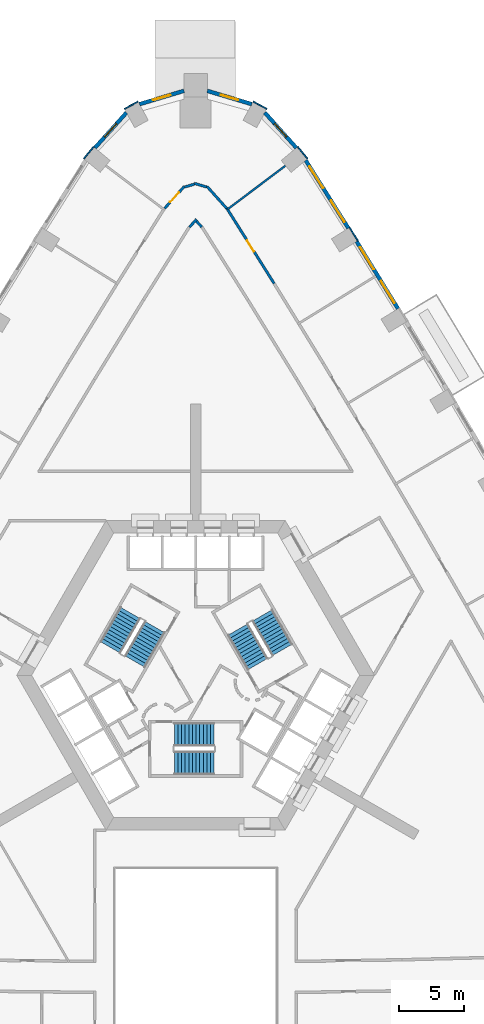
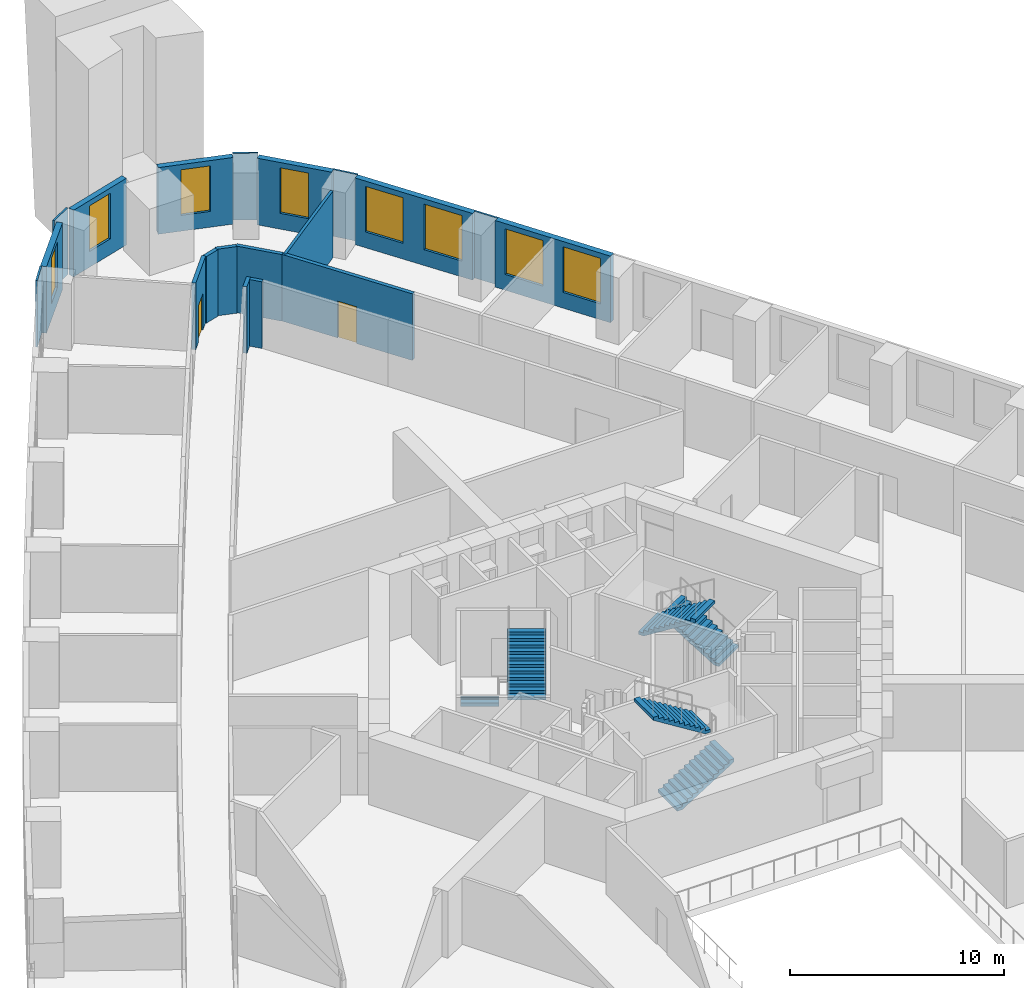
# One storey, part 12 of 16: 19 walls, 8 windows, 6 stair flights, 2 doors, 10 openings, 3 elements without a shape of their own.
"""IFC4 building model written with IfcOpenShell, lengths in metres."""

from ifc_helpers import new_model, si_unit, direction, frame, frame_2d, origin, place, context, subcontext, project, spatial, polyline, rectangle, outline, extrude, material, layer, layer_set, type_object, element, fill, aggregate, save


model = new_model("IFC4")

# Units and contexts
model_context = context("Model", 3, precision=1e-05, world=origin(), true_north=direction((0.0, 1.0)))
body_context = subcontext(model_context, "Body", "Model", "MODEL_VIEW")
ifc_project = project(units=[si_unit("LENGTHUNIT", "METRE"), si_unit("AREAUNIT", "SQUARE_METRE"), si_unit("VOLUMEUNIT", "CUBIC_METRE"), si_unit("PLANEANGLEUNIT", "RADIAN"), si_unit("MASSUNIT", "GRAM", prefix="KILO")], contexts=[model_context])

# Site, building, storey
site_placement = place(None, origin())
site = spatial("IfcSite", under=ifc_project, at=site_placement, CompositionType="ELEMENT")
building_placement = place(site_placement, origin())
building = spatial("IfcBuilding", under=site, at=building_placement, Name="Entoto Arch Interchange Tower", CompositionType="ELEMENT")
storey_placement = place(building_placement, frame((0.0, 0.0, 60.199951171875)))
storey = spatial("IfcBuildingStorey", under=building, at=storey_placement, Name="L12", CompositionType="ELEMENT", Elevation=60.199951171875)

# Walls
ifc_material_1 = material(Name="Gypsum board partition on steel studs", Category="steel")
ifc_layer_1 = layer(ifc_material_1, 0.14990234375)
ifc_layer_set_1 = layer_set([ifc_layer_1], Name="Gypsum board partition on steel studs")
wall_type_1 = type_object("IfcWallType", Name="PARTITION 150", PredefinedType="PARTITIONING", material=ifc_layer_set_1)
wall_1_placement = place(storey_placement, frame((2.466064453125, 38.580078125, 0.0), z_axis=(0.0, 0.0, 1.0), x_axis=(0.798796148738, 0.601601789193, 0.0)))
element("IfcWall", 1, at=wall_1_placement, inside=storey, type_object=wall_type_1, Name="wall:L12:p141", PredefinedType="PARTITIONING", context=body_context, shape_type="SweptSolid", body=[
    extrude(rectangle(XDim=5.604736328125, YDim=0.14990234375, at=frame_2d((2.80224609375, 0.0))), origin(), (0.0, 0.0, 1.0), 3.800048828125),
])
ifc_layer_2 = layer(ifc_material_1, 0.199951171875)
ifc_layer_set_2 = layer_set([ifc_layer_2], Name="Gypsum board partition on steel studs")
wall_type_2 = type_object("IfcWallType", Name="PARTITION 200", PredefinedType="PARTITIONING", material=ifc_layer_set_2)
wall_2_placement = place(storey_placement, frame((0.47607421875, 37.2060546875, 0.0), z_axis=(0.0, 0.0, 1.0), x_axis=(-0.667027496744, 0.745033098988, 0.0)))
element("IfcWall", 2, at=wall_2_placement, inside=storey, type_object=wall_type_2, Name="wall:L12:p012", PredefinedType="PARTITIONING", context=body_context, shape_type="SweptSolid", body=[
    extrude(rectangle(XDim=0.613525390625, YDim=0.199951171875, at=frame_2d((0.306640625, 0.0))), origin(), (0.0, 0.0, 1.0), 3.800048828125),
])
wall_3_placement = place(storey_placement, frame((0.06689453125, 37.81201171875, 0.0), z_axis=(0.0, 0.0, 1.0), x_axis=(-0.667338487106, -0.744754552606, 0.0)))
element("IfcWall", 3, at=wall_3_placement, inside=storey, type_object=wall_type_2, Name="wall:L12:p013", PredefinedType="PARTITIONING", context=body_context, shape_type="SweptSolid", body=[
    extrude(rectangle(XDim=0.813720703125, YDim=0.199951171875, at=frame_2d((0.40673828125, 0.0))), origin(), (0.0, 0.0, 1.0), 3.800048828125),
])

# Wall, opening, door
wall_4_placement = place(storey_placement, frame((2.4130859375, 38.6650390625, 0.0), z_axis=(0.0, 0.0, 1.0), x_axis=(0.532328273879, -0.846538013812, 0.0)))
wall_4 = element("IfcWall", 4, at=wall_4_placement, inside=storey, type_object=wall_type_2, Name="wall:L12:p060", PredefinedType="PARTITIONING", context=body_context, shape_type="SweptSolid", body=[
    extrude(rectangle(XDim=6.890380859375, YDim=0.199951171875, at=frame_2d((3.4453125, 0.0))), origin(), (0.0, 0.0, 1.0), 3.800048828125),
])
opening_1_placement = place(wall_4_placement, frame((2.945068359375, 0.0, 0.0)))
opening_1 = element("IfcOpeningElement", 5, at=opening_1_placement, cuts=wall_4, Name="Opening L12-D08", PredefinedType="OPENING", context=body_context, shape_type="SweptSolid", body=[
    extrude(rectangle(XDim=1.0, YDim=2.10009765625, at=frame_2d((0.5, 1.050048828125))), frame((0.0, 0.10986328125, 0.0), z_axis=(0.0, -1.0, 0.0), x_axis=(1.0, 0.0, 0.0)), (0.0, 0.0, 1.0), 0.219970703125),
])
ifc_material_2 = material(Name="Timber door leaf in Steel S235 frame", Category="steel")
door_type = type_object("IfcDoorType", Name="DOOR DS-10 1000x2100", OperationType="SINGLE_SWING_LEFT", PredefinedType="DOOR", material=ifc_material_2)
door_1_placement = place(opening_1_placement, origin())
door_1 = element("IfcDoor", 6, at=door_1_placement, inside=storey, type_object=door_type, Name="door:L12:08", OperationType="SINGLE_SWING_LEFT", OverallHeight=2.10009765625, OverallWidth=1.0, PredefinedType="DOOR", context=body_context, shape_type="SweptSolid", body=[
    extrude(rectangle(XDim=1.0, YDim=2.10009765625, at=frame_2d((0.5, 1.050048828125))), frame((0.0, 0.02490234375, 0.0), z_axis=(0.0, -1.0, 0.0), x_axis=(1.0, 0.0, 0.0)), (0.0, 0.0, 1.0), 0.050048828125),
])
fill(opening_1, door_1)

wall_5_placement = place(storey_placement, frame((-2.39990234375, 38.655029296875, 0.0), z_axis=(0.0, 0.0, 1.0), x_axis=(0.666791730919, 0.745244112743, 0.0)))
wall_5 = element("IfcWall", 7, at=wall_5_placement, inside=storey, type_object=wall_type_2, Name="wall:L12:p062", PredefinedType="PARTITIONING", context=body_context, shape_type="SweptSolid", body=[
    extrude(rectangle(XDim=2.281005859375, YDim=0.199951171875, at=frame_2d((1.140625, 0.0))), origin(), (0.0, 0.0, 1.0), 3.800048828125),
])
opening_2_placement = place(wall_5_placement, frame((0.64111328125, 0.0, 0.0)))
opening_2 = element("IfcOpeningElement", 8, at=opening_2_placement, cuts=wall_5, Name="Opening L12-D09", PredefinedType="OPENING", context=body_context, shape_type="SweptSolid", body=[
    extrude(rectangle(XDim=1.0, YDim=2.10009765625, at=frame_2d((0.5, 1.050048828125))), frame((0.0, 0.10986328125, 0.0), z_axis=(0.0, -1.0, 0.0), x_axis=(1.0, 0.0, 0.0)), (0.0, 0.0, 1.0), 0.219970703125),
])
door_2_placement = place(opening_2_placement, origin())
door_2 = element("IfcDoor", 9, at=door_2_placement, inside=storey, type_object=door_type, Name="door:L12:09", OperationType="SINGLE_SWING_LEFT", OverallHeight=2.10009765625, OverallWidth=1.0, PredefinedType="DOOR", context=body_context, shape_type="SweptSolid", body=[
    extrude(rectangle(XDim=1.0, YDim=2.10009765625, at=frame_2d((0.5, 1.050048828125))), frame((0.0, 0.02490234375, 0.0), z_axis=(0.0, -1.0, 0.0), x_axis=(1.0, 0.0, 0.0)), (0.0, 0.0, 1.0), 0.050048828125),
])
fill(opening_2, door_2)

# Walls
wall_6_placement = place(storey_placement, frame((-0.84912109375, 40.30908203125, 0.0), z_axis=(0.0, 0.0, 1.0), x_axis=(0.958210118601, 0.286065322279, 0.0)))
element("IfcWall", 10, at=wall_6_placement, inside=storey, type_object=wall_type_2, Name="wall:L12:p063", PredefinedType="PARTITIONING", context=body_context, shape_type="SweptSolid", body=[
    extrude(rectangle(XDim=0.7861328125, YDim=0.199951171875, at=frame_2d((0.39306640625, 0.0))), origin(), (0.0, 0.0, 1.0), 3.800048828125),
])
wall_7_placement = place(storey_placement, frame((-0.095947265625, 40.591064453125, 0.0), z_axis=(0.0, 0.0, 1.0), x_axis=(0.958254449469, -0.285916788721, 0.0)))
element("IfcWall", 11, at=wall_7_placement, inside=storey, type_object=wall_type_2, Name="wall:L12:p064", PredefinedType="PARTITIONING", context=body_context, shape_type="SweptSolid", body=[
    extrude(rectangle(XDim=0.986328125, YDim=0.199951171875, at=frame_2d((0.4931640625, 0.0))), origin(), (0.0, 0.0, 1.0), 3.800048828125),
])
wall_8_placement = place(storey_placement, frame((0.87890625, 40.35498046875, 0.0), z_axis=(0.0, 0.0, 1.0), x_axis=(0.666791730919, -0.745244112743, 0.0)))
element("IfcWall", 12, at=wall_8_placement, inside=storey, type_object=wall_type_2, Name="wall:L12:p065", PredefinedType="PARTITIONING", context=body_context, shape_type="SweptSolid", body=[
    extrude(rectangle(XDim=2.281005859375, YDim=0.199951171875, at=frame_2d((1.140625, 0.0))), origin(), (0.0, 0.0, 1.0), 3.800048828125),
])

# Wall, openings, windows
ifc_material_3 = material(Name="Welded tuff (ignimbrite) cladding, warm buff", Category="masonry")
ifc_layer_3 = layer(ifc_material_3, 0.300048828125)
ifc_layer_set_3 = layer_set([ifc_layer_3], Name="Welded tuff (ignimbrite) cladding, warm buff")
wall_type_3 = type_object("IfcWallType", Name="STONE INFILL WALL 300", PredefinedType="STANDARD", material=ifc_layer_set_3)
wall_9_placement = place(storey_placement, frame((15.677001953125, 30.882080078125, 0.0), z_axis=(0.0, 0.0, 1.0), x_axis=(-0.524239751329, 0.851570715282, 0.0)))
wall_9 = element("IfcWall", 13, at=wall_9_placement, inside=storey, type_object=wall_type_3, Name="Facade wall NE-08 L12", PredefinedType="STANDARD", context=body_context, shape_type="SweptSolid", body=[
    extrude(rectangle(XDim=6.125, YDim=0.300048828125, at=frame_2d((3.0625, 0.0))), origin(), (0.0, 0.0, 1.0), 3.800048828125),
])
opening_3_placement = place(wall_9_placement, frame((0.531005859375, 0.0, 0.89990234375)))
opening_3 = element("IfcOpeningElement", 14, at=opening_3_placement, cuts=wall_9, Name="Opening WO-C", PredefinedType="OPENING", context=body_context, shape_type="SweptSolid", body=[
    extrude(rectangle(XDim=2.0, YDim=2.60009765625, at=frame_2d((1.0, 1.300048828125))), frame((0.0, 0.16015625, 0.0), z_axis=(0.0, -1.0, 0.0), x_axis=(1.0, 0.0, 0.0)), (0.0, 0.0, 1.0), 0.320068359375),
])
opening_4_placement = place(wall_9_placement, frame((3.593994140625, 0.0, 0.89990234375)))
opening_4 = element("IfcOpeningElement", 15, at=opening_4_placement, cuts=wall_9, Name="Opening WO-C", PredefinedType="OPENING", context=body_context, shape_type="SweptSolid", body=[
    extrude(rectangle(XDim=2.0, YDim=2.60009765625, at=frame_2d((1.0, 1.300048828125))), frame((0.0, 0.16015625, 0.0), z_axis=(0.0, -1.0, 0.0), x_axis=(1.0, 0.0, 0.0)), (0.0, 0.0, 1.0), 0.320068359375),
])
ifc_material_4 = material(Name="Clear glass, low-e double glazed", Category="glass")
window_type_1 = type_object("IfcWindowType", Name="WINDOW WO-C 2000x2600", PartitioningType="DOUBLE_PANEL_VERTICAL", PredefinedType="WINDOW", material=ifc_material_4)
window_1_placement = place(opening_3_placement, origin())
window_1 = element("IfcWindow", 16, at=window_1_placement, inside=storey, type_object=window_type_1, Name="Window WO-C NE-08 L12", OverallHeight=2.60009765625, OverallWidth=2.0, PartitioningType="SINGLE_PANEL", PredefinedType="WINDOW", context=body_context, shape_type="SweptSolid", body=[
    extrude(rectangle(XDim=2.0, YDim=2.60009765625, at=frame_2d((1.0, 1.300048828125))), frame((0.0, 0.030029296875, 0.0), z_axis=(0.0, -1.0, 0.0), x_axis=(1.0, 0.0, 0.0)), (0.0, 0.0, 1.0), 0.06005859375),
])
fill(opening_3, window_1)
window_2_placement = place(opening_4_placement, origin())
window_2 = element("IfcWindow", 17, at=window_2_placement, inside=storey, type_object=window_type_1, Name="Window WO-C NE-08 L12", OverallHeight=2.60009765625, OverallWidth=2.0, PartitioningType="SINGLE_PANEL", PredefinedType="WINDOW", context=body_context, shape_type="SweptSolid", body=[
    extrude(rectangle(XDim=2.0, YDim=2.60009765625, at=frame_2d((1.0, 1.300048828125))), frame((0.0, 0.030029296875, 0.0), z_axis=(0.0, -1.0, 0.0), x_axis=(1.0, 0.0, 0.0)), (0.0, 0.0, 1.0), 0.06005859375),
])
fill(opening_4, window_2)

wall_10_placement = place(storey_placement, frame((11.8330078125, 37.115966796875, 0.0), z_axis=(0.0, 0.0, 1.0), x_axis=(-0.532322705893, 0.846541515102, 0.0)))
wall_10 = element("IfcWall", 18, at=wall_10_placement, inside=storey, type_object=wall_type_3, Name="Facade wall NE-09 L12", PredefinedType="STANDARD", context=body_context, shape_type="SweptSolid", body=[
    extrude(rectangle(XDim=6.21826171875, YDim=0.300048828125, at=frame_2d((3.109130859375, 0.0))), origin(), (0.0, 0.0, 1.0), 3.800048828125),
])
opening_5_placement = place(wall_10_placement, frame((0.554931640625, 0.0, 0.89990234375)))
opening_5 = element("IfcOpeningElement", 19, at=opening_5_placement, cuts=wall_10, Name="Opening WO-C", PredefinedType="OPENING", context=body_context, shape_type="SweptSolid", body=[
    extrude(rectangle(XDim=2.0, YDim=2.60009765625, at=frame_2d((1.0, 1.300048828125))), frame((0.0, 0.16015625, 0.0), z_axis=(0.0, -1.0, 0.0), x_axis=(1.0, 0.0, 0.0)), (0.0, 0.0, 1.0), 0.320068359375),
])
opening_6_placement = place(wall_10_placement, frame((3.6640625, 0.0, 0.89990234375)))
opening_6 = element("IfcOpeningElement", 20, at=opening_6_placement, cuts=wall_10, Name="Opening WO-C", PredefinedType="OPENING", context=body_context, shape_type="SweptSolid", body=[
    extrude(rectangle(XDim=2.0, YDim=2.60009765625, at=frame_2d((1.0, 1.300048828125))), frame((0.0, 0.16015625, 0.0), z_axis=(0.0, -1.0, 0.0), x_axis=(1.0, 0.0, 0.0)), (0.0, 0.0, 1.0), 0.320068359375),
])
window_3_placement = place(opening_5_placement, origin())
window_3 = element("IfcWindow", 21, at=window_3_placement, inside=storey, type_object=window_type_1, Name="Window WO-C NE-09 L12", OverallHeight=2.60009765625, OverallWidth=2.0, PartitioningType="SINGLE_PANEL", PredefinedType="WINDOW", context=body_context, shape_type="SweptSolid", body=[
    extrude(rectangle(XDim=2.0, YDim=2.60009765625, at=frame_2d((1.0, 1.300048828125))), frame((0.0, 0.030029296875, 0.0), z_axis=(0.0, -1.0, 0.0), x_axis=(1.0, 0.0, 0.0)), (0.0, 0.0, 1.0), 0.06005859375),
])
fill(opening_5, window_3)
window_4_placement = place(opening_6_placement, origin())
window_4 = element("IfcWindow", 22, at=window_4_placement, inside=storey, type_object=window_type_1, Name="Window WO-C NE-09 L12", OverallHeight=2.60009765625, OverallWidth=2.0, PartitioningType="SINGLE_PANEL", PredefinedType="WINDOW", context=body_context, shape_type="SweptSolid", body=[
    extrude(rectangle(XDim=2.0, YDim=2.60009765625, at=frame_2d((1.0, 1.300048828125))), frame((0.0, 0.030029296875, 0.0), z_axis=(0.0, -1.0, 0.0), x_axis=(1.0, 0.0, 0.0)), (0.0, 0.0, 1.0), 0.06005859375),
])
fill(opening_6, window_4)

# Wall, opening, window
wall_11_placement = place(storey_placement, frame((7.802978515625, 43.339111328125, 0.0), z_axis=(0.0, 0.0, 1.0), x_axis=(-0.666901909312, 0.745145518242, 0.0)))
wall_11 = element("IfcWall", 23, at=wall_11_placement, inside=storey, type_object=wall_type_3, Name="Facade wall N-01 L12", PredefinedType="STANDARD", context=body_context, shape_type="SweptSolid", body=[
    extrude(rectangle(XDim=3.666259765625, YDim=0.300048828125, at=frame_2d((1.8330078125, 0.0))), origin(), (0.0, 0.0, 1.0), 3.800048828125),
])
opening_7_placement = place(wall_11_placement, frame((1.133056640625, 0.0, 0.89990234375)))
opening_7 = element("IfcOpeningElement", 24, at=opening_7_placement, cuts=wall_11, Name="Opening WO-B", PredefinedType="OPENING", context=body_context, shape_type="SweptSolid", body=[
    extrude(rectangle(XDim=1.39990234375, YDim=2.60009765625, at=frame_2d((0.699951171875, 1.300048828125))), frame((0.0, 0.16015625, 0.0), z_axis=(0.0, -1.0, 0.0), x_axis=(1.0, 0.0, 0.0)), (0.0, 0.0, 1.0), 0.320068359375),
])
window_type_2 = type_object("IfcWindowType", Name="WINDOW WO-B 1400x2600", PartitioningType="DOUBLE_PANEL_VERTICAL", PredefinedType="WINDOW", material=ifc_material_4)
window_5_placement = place(opening_7_placement, origin())
window_5 = element("IfcWindow", 25, at=window_5_placement, inside=storey, type_object=window_type_2, Name="Window WO-B N-01 L12", OverallHeight=2.60009765625, OverallWidth=1.39990234375, PartitioningType="SINGLE_PANEL", PredefinedType="WINDOW", context=body_context, shape_type="SweptSolid", body=[
    extrude(rectangle(XDim=1.39990234375, YDim=2.60009765625, at=frame_2d((0.699951171875, 1.300048828125))), frame((0.0, 0.030029296875, 0.0), z_axis=(0.0, -1.0, 0.0), x_axis=(1.0, 0.0, 0.0)), (0.0, 0.0, 1.0), 0.06005859375),
])
fill(opening_7, window_5)

wall_12_placement = place(storey_placement, frame((4.35009765625, 46.72509765625, 0.0), z_axis=(0.0, 0.0, 1.0), x_axis=(-0.958083325779, 0.286489687186, 0.0)))
wall_12 = element("IfcWall", 26, at=wall_12_placement, inside=storey, type_object=wall_type_3, Name="Facade wall N-02 L12", PredefinedType="STANDARD", context=body_context, shape_type="SweptSolid", body=[
    extrude(rectangle(XDim=3.60205078125, YDim=0.300048828125, at=frame_2d((1.801025390625, 0.0))), origin(), (0.0, 0.0, 1.0), 3.800048828125),
])
opening_8_placement = place(wall_12_placement, frame((1.10107421875, 0.0, 0.89990234375)))
opening_8 = element("IfcOpeningElement", 27, at=opening_8_placement, cuts=wall_12, Name="Opening WO-B", PredefinedType="OPENING", context=body_context, shape_type="SweptSolid", body=[
    extrude(rectangle(XDim=1.39990234375, YDim=2.60009765625, at=frame_2d((0.699951171875, 1.300048828125))), frame((0.0, 0.16015625, 0.0), z_axis=(0.0, -1.0, 0.0), x_axis=(1.0, 0.0, 0.0)), (0.0, 0.0, 1.0), 0.320068359375),
])
window_6_placement = place(opening_8_placement, origin())
window_6 = element("IfcWindow", 28, at=window_6_placement, inside=storey, type_object=window_type_2, Name="Window WO-B N-02 L12", OverallHeight=2.60009765625, OverallWidth=1.39990234375, PartitioningType="SINGLE_PANEL", PredefinedType="WINDOW", context=body_context, shape_type="SweptSolid", body=[
    extrude(rectangle(XDim=1.39990234375, YDim=2.60009765625, at=frame_2d((0.699951171875, 1.300048828125))), frame((0.0, 0.030029296875, 0.0), z_axis=(0.0, -1.0, 0.0), x_axis=(1.0, 0.0, 0.0)), (0.0, 0.0, 1.0), 0.06005859375),
])
fill(opening_8, window_6)

wall_13_placement = place(storey_placement, frame((-0.89892578125, 47.757080078125, 0.0), z_axis=(0.0, 0.0, 1.0), x_axis=(-0.958083325779, -0.286489687186, 0.0)))
wall_13 = element("IfcWall", 29, at=wall_13_placement, inside=storey, type_object=wall_type_3, Name="Facade wall N-03 L12", PredefinedType="STANDARD", context=body_context, shape_type="SweptSolid", body=[
    extrude(rectangle(XDim=3.60205078125, YDim=0.300048828125, at=frame_2d((1.801025390625, 0.0))), origin(), (0.0, 0.0, 1.0), 3.800048828125),
])
opening_9_placement = place(wall_13_placement, frame((1.10107421875, 0.0, 0.89990234375)))
opening_9 = element("IfcOpeningElement", 30, at=opening_9_placement, cuts=wall_13, Name="Opening WO-B", PredefinedType="OPENING", context=body_context, shape_type="SweptSolid", body=[
    extrude(rectangle(XDim=1.39990234375, YDim=2.60009765625, at=frame_2d((0.699951171875, 1.300048828125))), frame((0.0, 0.16015625, 0.0), z_axis=(0.0, -1.0, 0.0), x_axis=(1.0, 0.0, 0.0)), (0.0, 0.0, 1.0), 0.320068359375),
])
window_7_placement = place(opening_9_placement, origin())
window_7 = element("IfcWindow", 31, at=window_7_placement, inside=storey, type_object=window_type_2, Name="Window WO-B N-03 L12", OverallHeight=2.60009765625, OverallWidth=1.39990234375, PartitioningType="SINGLE_PANEL", PredefinedType="WINDOW", context=body_context, shape_type="SweptSolid", body=[
    extrude(rectangle(XDim=1.39990234375, YDim=2.60009765625, at=frame_2d((0.699951171875, 1.300048828125))), frame((0.0, 0.030029296875, 0.0), z_axis=(0.0, -1.0, 0.0), x_axis=(1.0, 0.0, 0.0)), (0.0, 0.0, 1.0), 0.06005859375),
])
fill(opening_9, window_7)

wall_14_placement = place(storey_placement, frame((-5.35791015625, 46.071044921875, 0.0), z_axis=(0.0, 0.0, 1.0), x_axis=(-0.666901909312, -0.745145518242, 0.0)))
wall_14 = element("IfcWall", 32, at=wall_14_placement, inside=storey, type_object=wall_type_3, Name="Facade wall N-04 L12", PredefinedType="STANDARD", context=body_context, shape_type="SweptSolid", body=[
    extrude(rectangle(XDim=3.666259765625, YDim=0.300048828125, at=frame_2d((1.8330078125, 0.0))), origin(), (0.0, 0.0, 1.0), 3.800048828125),
])
opening_10_placement = place(wall_14_placement, frame((1.133056640625, 0.0, 0.89990234375)))
opening_10 = element("IfcOpeningElement", 33, at=opening_10_placement, cuts=wall_14, Name="Opening WO-B", PredefinedType="OPENING", context=body_context, shape_type="SweptSolid", body=[
    extrude(rectangle(XDim=1.39990234375, YDim=2.60009765625, at=frame_2d((0.699951171875, 1.300048828125))), frame((0.0, 0.16015625, 0.0), z_axis=(0.0, -1.0, 0.0), x_axis=(1.0, 0.0, 0.0)), (0.0, 0.0, 1.0), 0.320068359375),
])
window_8_placement = place(opening_10_placement, origin())
window_8 = element("IfcWindow", 34, at=window_8_placement, inside=storey, type_object=window_type_2, Name="Window WO-B N-04 L12", OverallHeight=2.60009765625, OverallWidth=1.39990234375, PartitioningType="SINGLE_PANEL", PredefinedType="WINDOW", context=body_context, shape_type="SweptSolid", body=[
    extrude(rectangle(XDim=1.39990234375, YDim=2.60009765625, at=frame_2d((0.699951171875, 1.300048828125))), frame((0.0, 0.030029296875, 0.0), z_axis=(0.0, -1.0, 0.0), x_axis=(1.0, 0.0, 0.0)), (0.0, 0.0, 1.0), 0.06005859375),
])
fill(opening_10, window_8)

# Walls
ifc_layer_4 = layer(ifc_material_3, 0.10009765625)
ifc_layer_set_4 = layer_set([ifc_layer_4], Name="Welded tuff (ignimbrite) cladding, warm buff")
wall_type_4 = type_object("IfcWallType", Name="STONE PIER CLADDING 100", PredefinedType="STANDARD", material=ifc_layer_set_4)
for number, where, z_axis, x_axis, name in (
    (35, (5.512939453125, 46.35205078125, 0.0), (0.0, 0.0, 1.0), (-0.877155474831, 0.480206489934, 0.0), "Stone pier N1 L12"),
    (36, (-4.4609375, 46.927978515625, 0.0), (0.0, 0.0, 1.0), (-0.877155474831, -0.480206489934, 0.0), "Stone pier N3 L12"),
):
    element("IfcWall", number, at=place(storey_placement, frame(where, z_axis=z_axis, x_axis=x_axis)), inside=storey, type_object=wall_type_4, Name=name, PredefinedType="STANDARD", context=body_context, shape_type="SweptSolid", body=[
        extrude(rectangle(XDim=1.19921875, YDim=0.10009765625, at=frame_2d((0.599609375, 0.0))), origin(), (0.0, 0.0, 1.0), 3.800048828125),
    ])
wall_15_placement = place(storey_placement, frame((12.554931640625, 36.153076171875, 0.0), z_axis=(0.0, 0.0, 1.0), x_axis=(-0.530273374944, 0.847826720401, 0.0)))
element("IfcWall", 37, at=wall_15_placement, inside=storey, type_object=wall_type_4, Name="Stone pier NE09 L12", PredefinedType="STANDARD", context=body_context, shape_type="SweptSolid", body=[
    extrude(rectangle(XDim=1.199462890625, YDim=0.10009765625, at=frame_2d((0.599609375, 0.0))), origin(), (0.0, 0.0, 1.0), 3.800048828125),
])
for number, where, z_axis, x_axis, name in (
    (38, (8.662109375, 42.493896484375, 0.0), (0.0, 0.0, 1.0), (-0.637759271497, 0.770235750676, 0.0), "Stone pier NE10 L12"),
    (39, (-7.89697265625, 43.41796875, 0.0), (0.0, 0.0, 1.0), (-0.637759271497, -0.770235750676, 0.0), "Stone pier NW01 L12"),
):
    element("IfcWall", number, at=place(storey_placement, frame(where, z_axis=z_axis, x_axis=x_axis)), inside=storey, type_object=wall_type_4, Name=name, PredefinedType="STANDARD", context=body_context, shape_type="SweptSolid", body=[
        extrude(rectangle(XDim=1.19970703125, YDim=0.10009765625, at=frame_2d((0.599853515625, 0.0))), origin(), (0.0, 0.0, 1.0), 3.800048828125),
    ])

# Stair, stair flights
ifc_material_5 = material(Name="Concrete C40/50", Category="concrete")
stair_type = type_object("IfcStairType", Name="EXIT STAIR RC 1800", PredefinedType="HALF_TURN_STAIR", material=ifc_material_5)
stair_1_placement = place(storey_placement, origin())
stair_1 = element("IfcStair", 40, at=stair_1_placement, inside=storey, type_object=stair_type, Name="L12 Exit stair S", PredefinedType="HALF_TURN_STAIR")
stair_flight_type = type_object("IfcStairFlightType", Name="EXIT STAIR FLIGHT RC 1800", PredefinedType="STRAIGHT", material=ifc_material_5)
stair_flight_1_placement = place(storey_placement, frame((-1.64990234375, -4.300048828125, 0.0), z_axis=(0.0, 0.0, 1.0), x_axis=(1.0, 0.0, 0.0)))
stair_flight_1 = element("IfcStairFlight", 41, at=stair_flight_1_placement, type_object=stair_flight_type, Name="ST-S flight 1", NumberOfRisers=12, NumberOfTreads=11, PredefinedType="STRAIGHT", RiserHeight=0.175, TreadLength=0.28, context=body_context, shape_type="SweptSolid", body=[
    extrude(outline(polyline([(-0.0029296875, 0.0), (-0.0029296875, 0.175048828125), (0.280029296875, 0.175048828125), (0.280029296875, 0.35009765625), (0.56005859375, 0.35009765625), (0.56005859375, 0.52490234375), (0.840087890625, 0.52490234375), (0.840087890625, 0.699951171875), (1.1201171875, 0.699951171875), (1.1201171875, 0.875), (1.39990234375, 0.875), (1.39990234375, 1.050048828125), (1.679931640625, 1.050048828125), (1.679931640625, 1.22509765625), (1.9599609375, 1.22509765625), (1.9599609375, 1.39990234375), (2.239990234375, 1.39990234375), (2.239990234375, 1.574951171875), (2.52001953125, 1.574951171875), (2.52001953125, 1.75), (2.800048828125, 1.75), (2.800048828125, 1.925048828125), (3.080078125, 1.925048828125), (3.0830078125, 1.925048828125), (3.0830078125, 1.75), (0.28271484375, 0.0), (-0.0029296875, 0.0)])), frame((0.0, 0.89990234375, 0.0), z_axis=(0.0, -1.0, 0.0), x_axis=(1.0, 0.0, 0.0)), (0.0, 0.0, 1.0), 1.800048828125),
])
stair_flight_2_placement = place(storey_placement, frame((1.429931640625, -2.10009765625, 2.10009765625), z_axis=(0.0, 0.0, 1.0), x_axis=(-1.0, 0.0, 0.0)))
stair_flight_2 = element("IfcStairFlight", 42, at=stair_flight_2_placement, type_object=stair_flight_type, Name="ST-S flight 2", NumberOfRisers=12, NumberOfTreads=11, PredefinedType="STRAIGHT", RiserHeight=0.175, TreadLength=0.28, context=body_context, shape_type="SweptSolid", body=[
    extrude(outline(polyline([(-0.0029296875, 0.0), (-0.0029296875, 0.175048828125), (0.280029296875, 0.175048828125), (0.280029296875, 0.35009765625), (0.56005859375, 0.35009765625), (0.56005859375, 0.52490234375), (0.840087890625, 0.52490234375), (0.840087890625, 0.699951171875), (1.1201171875, 0.699951171875), (1.1201171875, 0.875), (1.39990234375, 0.875), (1.39990234375, 1.050048828125), (1.679931640625, 1.050048828125), (1.679931640625, 1.22509765625), (1.9599609375, 1.22509765625), (1.9599609375, 1.39990234375), (2.239990234375, 1.39990234375), (2.239990234375, 1.574951171875), (2.52001953125, 1.574951171875), (2.52001953125, 1.75), (2.800048828125, 1.75), (2.800048828125, 1.925048828125), (3.080078125, 1.925048828125), (3.0830078125, 1.925048828125), (3.0830078125, 1.75), (0.28271484375, 0.0), (-0.0029296875, 0.0)])), frame((0.0, 0.89990234375, 0.0), z_axis=(0.0, -1.0, 0.0), x_axis=(1.0, 0.0, 0.0)), (0.0, 0.0, 1.0), 1.800048828125),
])
aggregate(stair_1, [stair_flight_1, stair_flight_2])

stair_2_placement = place(storey_placement, origin())
stair_2 = element("IfcStair", 43, at=stair_2_placement, inside=storey, type_object=stair_type, Name="L12 Exit stair NE", PredefinedType="HALF_TURN_STAIR")
stair_flight_3_placement = place(storey_placement, frame((6.7138671875, 4.470947265625, 0.0), z_axis=(0.0, 0.0, 1.0), x_axis=(-0.5, 0.866025403784, 0.0)))
stair_flight_3 = element("IfcStairFlight", 44, at=stair_flight_3_placement, type_object=stair_flight_type, Name="ST-NE flight 1", NumberOfRisers=12, NumberOfTreads=11, PredefinedType="STRAIGHT", RiserHeight=0.175, TreadLength=0.28, context=body_context, shape_type="SweptSolid", body=[
    extrude(outline(polyline([(-0.0029296875, 0.0), (-0.0029296875, 0.175048828125), (0.280029296875, 0.175048828125), (0.280029296875, 0.35009765625), (0.56005859375, 0.35009765625), (0.56005859375, 0.52490234375), (0.840087890625, 0.52490234375), (0.840087890625, 0.699951171875), (1.1201171875, 0.699951171875), (1.1201171875, 0.875), (1.39990234375, 0.875), (1.39990234375, 1.050048828125), (1.679931640625, 1.050048828125), (1.679931640625, 1.22509765625), (1.9599609375, 1.22509765625), (1.9599609375, 1.39990234375), (2.239990234375, 1.39990234375), (2.239990234375, 1.574951171875), (2.52001953125, 1.574951171875), (2.52001953125, 1.75), (2.800048828125, 1.75), (2.800048828125, 1.925048828125), (3.080078125, 1.925048828125), (3.0830078125, 1.925048828125), (3.0830078125, 1.75), (0.28271484375, 0.0), (-0.0029296875, 0.0)])), frame((0.0, 0.89990234375, 0.0), z_axis=(0.0, -1.0, 0.0), x_axis=(1.0, 0.0, 0.0)), (0.0, 0.0, 1.0), 1.800048828125),
])
stair_flight_4_placement = place(storey_placement, frame((3.268798828125, 6.038330078125, 2.10009765625), z_axis=(0.0, 0.0, 1.0), x_axis=(0.5, -0.866025403784, 0.0)))
stair_flight_4 = element("IfcStairFlight", 45, at=stair_flight_4_placement, type_object=stair_flight_type, Name="ST-NE flight 2", NumberOfRisers=12, NumberOfTreads=11, PredefinedType="STRAIGHT", RiserHeight=0.175, TreadLength=0.28, context=body_context, shape_type="SweptSolid", body=[
    extrude(outline(polyline([(-0.0029296875, 0.0), (-0.0029296875, 0.175048828125), (0.280029296875, 0.175048828125), (0.280029296875, 0.35009765625), (0.56005859375, 0.35009765625), (0.56005859375, 0.52490234375), (0.840087890625, 0.52490234375), (0.840087890625, 0.699951171875), (1.1201171875, 0.699951171875), (1.1201171875, 0.875), (1.39990234375, 0.875), (1.39990234375, 1.050048828125), (1.679931640625, 1.050048828125), (1.679931640625, 1.22509765625), (1.9599609375, 1.22509765625), (1.9599609375, 1.39990234375), (2.239990234375, 1.39990234375), (2.239990234375, 1.574951171875), (2.52001953125, 1.574951171875), (2.52001953125, 1.75), (2.800048828125, 1.75), (2.800048828125, 1.925048828125), (3.080078125, 1.925048828125), (3.0830078125, 1.925048828125), (3.0830078125, 1.75), (0.28271484375, 0.0), (-0.0029296875, 0.0)])), frame((0.0, 0.89990234375, 0.0), z_axis=(0.0, -1.0, 0.0), x_axis=(1.0, 0.0, 0.0)), (0.0, 0.0, 1.0), 1.800048828125),
])
aggregate(stair_2, [stair_flight_3, stair_flight_4])

stair_3_placement = place(storey_placement, origin())
stair_3 = element("IfcStair", 46, at=stair_3_placement, inside=storey, type_object=stair_type, Name="L12 Exit stair NW", PredefinedType="HALF_TURN_STAIR")
stair_flight_5_placement = place(storey_placement, frame((-5.06396484375, 7.328857421875, 0.0), z_axis=(0.0, 0.0, 1.0), x_axis=(-0.5, -0.866025403784, 0.0)))
stair_flight_5 = element("IfcStairFlight", 47, at=stair_flight_5_placement, type_object=stair_flight_type, Name="ST-NW flight 1", NumberOfRisers=12, NumberOfTreads=11, PredefinedType="STRAIGHT", RiserHeight=0.175, TreadLength=0.28, context=body_context, shape_type="SweptSolid", body=[
    extrude(outline(polyline([(-0.0029296875, 0.0), (-0.0029296875, 0.175048828125), (0.280029296875, 0.175048828125), (0.280029296875, 0.35009765625), (0.56005859375, 0.35009765625), (0.56005859375, 0.52490234375), (0.840087890625, 0.52490234375), (0.840087890625, 0.699951171875), (1.1201171875, 0.699951171875), (1.1201171875, 0.875), (1.39990234375, 0.875), (1.39990234375, 1.050048828125), (1.679931640625, 1.050048828125), (1.679931640625, 1.22509765625), (1.9599609375, 1.22509765625), (1.9599609375, 1.39990234375), (2.239990234375, 1.39990234375), (2.239990234375, 1.574951171875), (2.52001953125, 1.574951171875), (2.52001953125, 1.75), (2.800048828125, 1.75), (2.800048828125, 1.925048828125), (3.080078125, 1.925048828125), (3.0830078125, 1.925048828125), (3.0830078125, 1.75), (0.28271484375, 0.0), (-0.0029296875, 0.0)])), frame((0.0, 0.89990234375, 0.0), z_axis=(0.0, -1.0, 0.0), x_axis=(1.0, 0.0, 0.0)), (0.0, 0.0, 1.0), 1.800048828125),
])
stair_flight_6_placement = place(storey_placement, frame((-4.69873046875, 3.5615234375, 2.10009765625), z_axis=(0.0, 0.0, 1.0), x_axis=(0.5, 0.866025403784, 0.0)))
stair_flight_6 = element("IfcStairFlight", 48, at=stair_flight_6_placement, type_object=stair_flight_type, Name="ST-NW flight 2", NumberOfRisers=12, NumberOfTreads=11, PredefinedType="STRAIGHT", RiserHeight=0.175, TreadLength=0.28, context=body_context, shape_type="SweptSolid", body=[
    extrude(outline(polyline([(-0.0029296875, 0.0), (-0.0029296875, 0.175048828125), (0.280029296875, 0.175048828125), (0.280029296875, 0.35009765625), (0.56005859375, 0.35009765625), (0.56005859375, 0.52490234375), (0.840087890625, 0.52490234375), (0.840087890625, 0.699951171875), (1.1201171875, 0.699951171875), (1.1201171875, 0.875), (1.39990234375, 0.875), (1.39990234375, 1.050048828125), (1.679931640625, 1.050048828125), (1.679931640625, 1.22509765625), (1.9599609375, 1.22509765625), (1.9599609375, 1.39990234375), (2.239990234375, 1.39990234375), (2.239990234375, 1.574951171875), (2.52001953125, 1.574951171875), (2.52001953125, 1.75), (2.800048828125, 1.75), (2.800048828125, 1.925048828125), (3.080078125, 1.925048828125), (3.0830078125, 1.925048828125), (3.0830078125, 1.75), (0.28271484375, 0.0), (-0.0029296875, 0.0)])), frame((0.0, 0.89990234375, 0.0), z_axis=(0.0, -1.0, 0.0), x_axis=(1.0, 0.0, 0.0)), (0.0, 0.0, 1.0), 1.800048828125),
])
aggregate(stair_3, [stair_flight_5, stair_flight_6])

save(model, "model.ifc")
